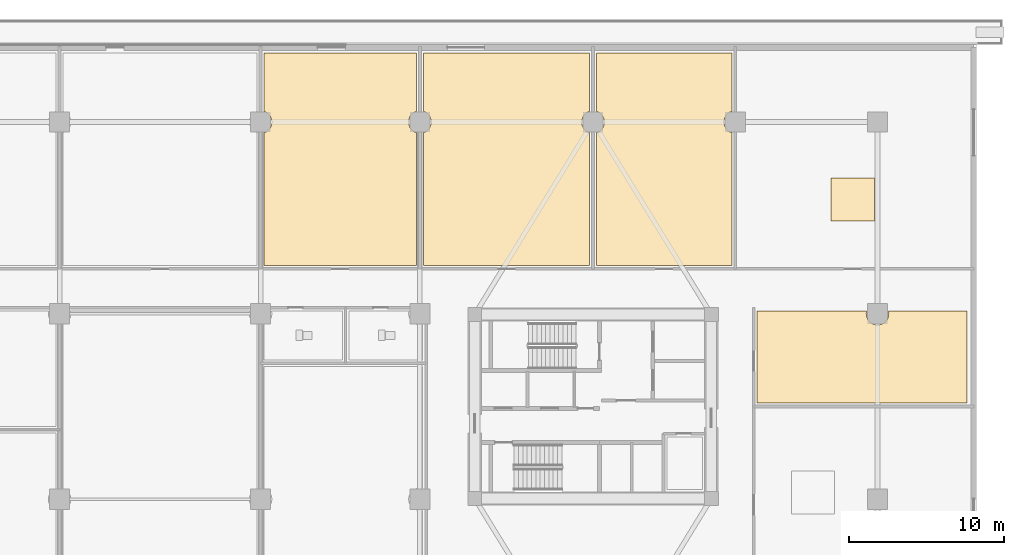
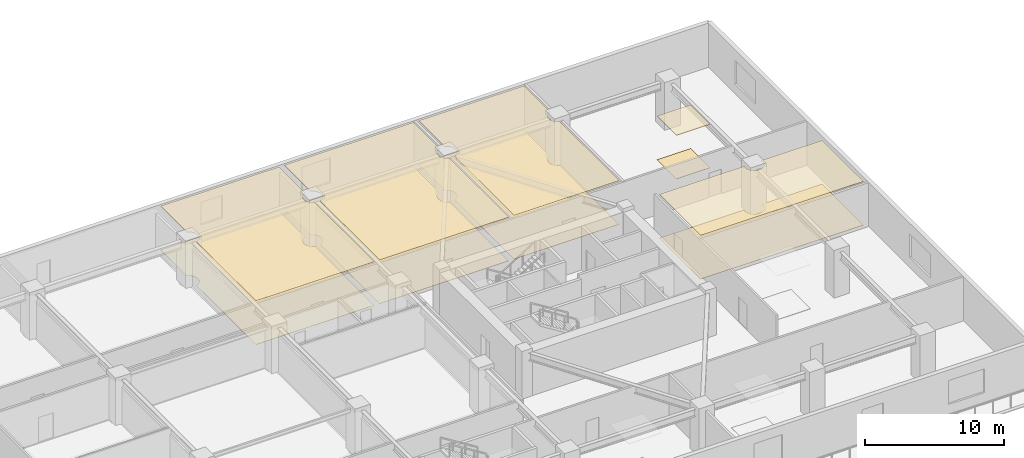
# One storey, part 20 of 22: 10 coverings.
"""IFC4 building model written with IfcOpenShell, lengths in metres."""

from ifc_helpers import new_model, si_unit, direction, frame, origin, place, context, subcontext, project, spatial, polyline, outline, extrude, material, layer, layer_set, type_object, element, save


model = new_model("IFC4")

# Units and contexts
model_context = context("Model", 3, precision=1e-05, world=origin(), true_north=direction((0.0, 1.0)))
body_context = subcontext(model_context, "Body", "Model", "MODEL_VIEW")
ifc_project = project(units=[si_unit("LENGTHUNIT", "METRE"), si_unit("AREAUNIT", "SQUARE_METRE"), si_unit("VOLUMEUNIT", "CUBIC_METRE"), si_unit("PLANEANGLEUNIT", "RADIAN"), si_unit("MASSUNIT", "GRAM", prefix="KILO")], contexts=[model_context])

# Site, building, storey
site_placement = place(None, origin())
site = spatial("IfcSite", under=ifc_project, at=site_placement, CompositionType="ELEMENT")
building_placement = place(site_placement, origin())
building = spatial("IfcBuilding", under=site, at=building_placement, Name="Norrkilde Senior Care Towers", CompositionType="ELEMENT")
storey_placement = place(building_placement, frame((0.0, 0.0, 4.199951171875)))
storey = spatial("IfcBuildingStorey", under=building, at=storey_placement, Name="L01", CompositionType="ELEMENT", Elevation=4.199951171875)

# Coverings
ifc_material_1 = material(Name="Nordic Ash Timber", Category="wood")
ifc_layer_1 = layer(ifc_material_1, 0.044921875)
ifc_layer_set_1 = layer_set([ifc_layer_1], Name="Nordic Ash Timber")
covering_type_1 = type_object("IfcCoveringType", Name="Acoustic Ash Timber Slatted Ceiling 45", PredefinedType="CEILING", material=ifc_layer_set_1)
covering_1_placement = place(storey_placement, frame((0.0, 0.0, 3.8349609375)))
element("IfcCovering", 1, at=covering_1_placement, inside=storey, type_object=covering_type_1, Name="L01 Suspended Ceiling 0025", PredefinedType="CEILING", context=body_context, shape_type="SweptSolid", body=[
    extrude(outline(polyline([(52.179931640625, 0.219970703125), (38.6201171875, 0.219970703125), (38.6201171875, 6.179931640625), (45.693603515625, 6.179931640625), (45.669921875, 6.0), (45.69482421875, 5.81103515625), (45.767822265625, 5.635009765625), (45.8837890625, 5.48388671875), (46.034912109375, 5.367919921875), (46.211181640625, 5.294921875), (46.39990234375, 5.27001953125), (46.5888671875, 5.294921875), (46.764892578125, 5.367919921875), (46.916259765625, 5.48388671875), (47.0322265625, 5.635009765625), (47.105224609375, 5.81103515625), (47.1298828125, 6.0), (47.106201171875, 6.179931640625), (52.179931640625, 6.179931640625), (52.179931640625, 0.219970703125)])), origin(), (0.0, 0.0, 1.0), 0.045166015625),
])
covering_2_placement = place(storey_placement, frame((0.0, 0.0, 3.8349609375)))
element("IfcCovering", 2, at=covering_2_placement, inside=storey, type_object=covering_type_1, Name="L01 Suspended Ceiling 0038", PredefinedType="CEILING", context=body_context, shape_type="SweptSolid", body=[
    extrude(outline(polyline([(17.02001953125, 9.1201171875), (17.02001953125, 17.707763671875), (17.1650390625, 17.767822265625), (17.316162109375, 17.8837890625), (17.43212890625, 18.034912109375), (17.505126953125, 18.211181640625), (17.530029296875, 18.39990234375), (17.505126953125, 18.5888671875), (17.43212890625, 18.764892578125), (17.316162109375, 18.916259765625), (17.1650390625, 19.0322265625), (17.02001953125, 19.09228515625), (17.02001953125, 22.8798828125), (27.780029296875, 22.8798828125), (27.780029296875, 19.09228515625), (27.635009765625, 19.0322265625), (27.48388671875, 18.916259765625), (27.367919921875, 18.764892578125), (27.294921875, 18.5888671875), (27.27001953125, 18.39990234375), (27.294921875, 18.211181640625), (27.367919921875, 18.034912109375), (27.48388671875, 17.8837890625), (27.635009765625, 17.767822265625), (27.780029296875, 17.707763671875), (27.780029296875, 9.1201171875), (17.02001953125, 9.1201171875)])), origin(), (0.0, 0.0, 1.0), 0.045166015625),
])
covering_3_placement = place(storey_placement, frame((0.0, 0.0, 3.8349609375)))
element("IfcCovering", 3, at=covering_3_placement, inside=storey, type_object=covering_type_1, Name="L01 Suspended Ceiling 0040", PredefinedType="CEILING", context=body_context, shape_type="SweptSolid", body=[
    extrude(outline(polyline([(43.39990234375, 11.9951171875), (43.39990234375, 14.794921875), (46.199951171875, 14.794921875), (46.199951171875, 11.9951171875), (43.39990234375, 11.9951171875)])), origin(), (0.0, 0.0, 1.0), 0.045166015625),
])
ifc_material_2 = material(Name="Gypsum Acoustic Board")
ifc_layer_2 = layer(ifc_material_2, 0.030029296875)
ifc_layer_set_2 = layer_set([ifc_layer_2], Name="Gypsum Acoustic Board")
covering_type_2 = type_object("IfcCoveringType", Name="Medical Cleanable Gypsum Ceiling 30", PredefinedType="CEILING", material=ifc_layer_set_2)
covering_4_placement = place(storey_placement, frame((0.0, 0.0, 3.85009765625)))
element("IfcCovering", 4, at=covering_4_placement, inside=storey, type_object=covering_type_2, Name="L01 Suspended Ceiling 0037", PredefinedType="CEILING", context=body_context, shape_type="SweptSolid", body=[
    extrude(outline(polyline([(6.719970703125, 9.1201171875), (6.719970703125, 17.707763671875), (6.864990234375, 17.767822265625), (7.01611328125, 17.8837890625), (7.132080078125, 18.034912109375), (7.205078125, 18.211181640625), (7.22998046875, 18.39990234375), (7.205078125, 18.5888671875), (7.132080078125, 18.764892578125), (7.01611328125, 18.916259765625), (6.864990234375, 19.0322265625), (6.719970703125, 19.09228515625), (6.719970703125, 22.8798828125), (16.580078125, 22.8798828125), (16.580078125, 19.09228515625), (16.43505859375, 19.0322265625), (16.28369140625, 18.916259765625), (16.167724609375, 18.764892578125), (16.094970703125, 18.5888671875), (16.070068359375, 18.39990234375), (16.094970703125, 18.211181640625), (16.167724609375, 18.034912109375), (16.28369140625, 17.8837890625), (16.43505859375, 17.767822265625), (16.580078125, 17.707763671875), (16.580078125, 9.1201171875), (6.719970703125, 9.1201171875)])), origin(), (0.0, 0.0, 1.0), 0.030029296875),
])
covering_5_placement = place(storey_placement, frame((0.0, 0.0, 3.85009765625)))
element("IfcCovering", 5, at=covering_5_placement, inside=storey, type_object=covering_type_2, Name="L01 Suspended Ceiling 0039", PredefinedType="CEILING", context=body_context, shape_type="SweptSolid", body=[
    extrude(outline(polyline([(28.219970703125, 9.1201171875), (28.219970703125, 17.707763671875), (28.364990234375, 17.767822265625), (28.51611328125, 17.8837890625), (28.632080078125, 18.034912109375), (28.705078125, 18.211181640625), (28.72998046875, 18.39990234375), (28.705078125, 18.5888671875), (28.632080078125, 18.764892578125), (28.51611328125, 18.916259765625), (28.364990234375, 19.0322265625), (28.219970703125, 19.09228515625), (28.219970703125, 22.8798828125), (36.97998046875, 22.8798828125), (36.97998046875, 19.09228515625), (36.8349609375, 19.0322265625), (36.683837890625, 18.916259765625), (36.56787109375, 18.764892578125), (36.494873046875, 18.5888671875), (36.469970703125, 18.39990234375), (36.494873046875, 18.211181640625), (36.56787109375, 18.034912109375), (36.683837890625, 17.8837890625), (36.8349609375, 17.767822265625), (36.97998046875, 17.707763671875), (36.97998046875, 9.1201171875), (28.219970703125, 9.1201171875)])), origin(), (0.0, 0.0, 1.0), 0.030029296875),
])
ifc_material_3 = material(Name="Slip-Resistant Porcelain Stone", Category="masonry")
ifc_layer_3 = layer(ifc_material_3, 0.02490234375)
ifc_layer_set_3 = layer_set([ifc_layer_3], Name="Slip-Resistant Porcelain Stone")
covering_type_3 = type_object("IfcCoveringType", Name="Slip-Resistant Porcelain Flooring 25", PredefinedType="FLOORING", material=ifc_layer_set_3)
covering_6_placement = place(storey_placement, origin())
element("IfcCovering", 6, at=covering_6_placement, inside=storey, type_object=covering_type_3, Name="L01 Floor Finish 0025", PredefinedType="FLOORING", context=body_context, shape_type="SweptSolid", body=[
    extrude(outline(polyline([(52.179931640625, 0.219970703125), (38.6201171875, 0.219970703125), (38.6201171875, 6.179931640625), (45.693603515625, 6.179931640625), (45.669921875, 6.0), (45.69482421875, 5.81103515625), (45.767822265625, 5.635009765625), (45.8837890625, 5.48388671875), (46.034912109375, 5.367919921875), (46.211181640625, 5.294921875), (46.39990234375, 5.27001953125), (46.5888671875, 5.294921875), (46.764892578125, 5.367919921875), (46.916259765625, 5.48388671875), (47.0322265625, 5.635009765625), (47.105224609375, 5.81103515625), (47.1298828125, 6.0), (47.106201171875, 6.179931640625), (52.179931640625, 6.179931640625), (52.179931640625, 0.219970703125)])), origin(), (0.0, 0.0, 1.0), 0.025146484375),
])
covering_7_placement = place(storey_placement, origin())
element("IfcCovering", 7, at=covering_7_placement, inside=storey, type_object=covering_type_3, Name="L01 Floor Finish 0037", PredefinedType="FLOORING", context=body_context, shape_type="SweptSolid", body=[
    extrude(outline(polyline([(6.719970703125, 9.1201171875), (6.719970703125, 17.707763671875), (6.864990234375, 17.767822265625), (7.01611328125, 17.8837890625), (7.132080078125, 18.034912109375), (7.205078125, 18.211181640625), (7.22998046875, 18.39990234375), (7.205078125, 18.5888671875), (7.132080078125, 18.764892578125), (7.01611328125, 18.916259765625), (6.864990234375, 19.0322265625), (6.719970703125, 19.09228515625), (6.719970703125, 22.8798828125), (16.580078125, 22.8798828125), (16.580078125, 19.09228515625), (16.43505859375, 19.0322265625), (16.28369140625, 18.916259765625), (16.167724609375, 18.764892578125), (16.094970703125, 18.5888671875), (16.070068359375, 18.39990234375), (16.094970703125, 18.211181640625), (16.167724609375, 18.034912109375), (16.28369140625, 17.8837890625), (16.43505859375, 17.767822265625), (16.580078125, 17.707763671875), (16.580078125, 9.1201171875), (6.719970703125, 9.1201171875)])), origin(), (0.0, 0.0, 1.0), 0.025146484375),
])
covering_8_placement = place(storey_placement, origin())
element("IfcCovering", 8, at=covering_8_placement, inside=storey, type_object=covering_type_3, Name="L01 Floor Finish 0038", PredefinedType="FLOORING", context=body_context, shape_type="SweptSolid", body=[
    extrude(outline(polyline([(17.02001953125, 9.1201171875), (17.02001953125, 17.707763671875), (17.1650390625, 17.767822265625), (17.316162109375, 17.8837890625), (17.43212890625, 18.034912109375), (17.505126953125, 18.211181640625), (17.530029296875, 18.39990234375), (17.505126953125, 18.5888671875), (17.43212890625, 18.764892578125), (17.316162109375, 18.916259765625), (17.1650390625, 19.0322265625), (17.02001953125, 19.09228515625), (17.02001953125, 22.8798828125), (27.780029296875, 22.8798828125), (27.780029296875, 19.09228515625), (27.635009765625, 19.0322265625), (27.48388671875, 18.916259765625), (27.367919921875, 18.764892578125), (27.294921875, 18.5888671875), (27.27001953125, 18.39990234375), (27.294921875, 18.211181640625), (27.367919921875, 18.034912109375), (27.48388671875, 17.8837890625), (27.635009765625, 17.767822265625), (27.780029296875, 17.707763671875), (27.780029296875, 9.1201171875), (17.02001953125, 9.1201171875)])), origin(), (0.0, 0.0, 1.0), 0.025146484375),
])
covering_9_placement = place(storey_placement, origin())
element("IfcCovering", 9, at=covering_9_placement, inside=storey, type_object=covering_type_3, Name="L01 Floor Finish 0039", PredefinedType="FLOORING", context=body_context, shape_type="SweptSolid", body=[
    extrude(outline(polyline([(28.219970703125, 9.1201171875), (28.219970703125, 17.707763671875), (28.364990234375, 17.767822265625), (28.51611328125, 17.8837890625), (28.632080078125, 18.034912109375), (28.705078125, 18.211181640625), (28.72998046875, 18.39990234375), (28.705078125, 18.5888671875), (28.632080078125, 18.764892578125), (28.51611328125, 18.916259765625), (28.364990234375, 19.0322265625), (28.219970703125, 19.09228515625), (28.219970703125, 22.8798828125), (36.97998046875, 22.8798828125), (36.97998046875, 19.09228515625), (36.8349609375, 19.0322265625), (36.683837890625, 18.916259765625), (36.56787109375, 18.764892578125), (36.494873046875, 18.5888671875), (36.469970703125, 18.39990234375), (36.494873046875, 18.211181640625), (36.56787109375, 18.034912109375), (36.683837890625, 17.8837890625), (36.8349609375, 17.767822265625), (36.97998046875, 17.707763671875), (36.97998046875, 9.1201171875), (28.219970703125, 9.1201171875)])), origin(), (0.0, 0.0, 1.0), 0.025146484375),
])
covering_10_placement = place(storey_placement, origin())
element("IfcCovering", 10, at=covering_10_placement, inside=storey, type_object=covering_type_3, Name="L01 Floor Finish 0040", PredefinedType="FLOORING", context=body_context, shape_type="SweptSolid", body=[
    extrude(outline(polyline([(43.39990234375, 11.9951171875), (43.39990234375, 14.794921875), (46.199951171875, 14.794921875), (46.199951171875, 11.9951171875), (43.39990234375, 11.9951171875)])), origin(), (0.0, 0.0, 1.0), 0.025146484375),
])

save(model, "model.ifc")
